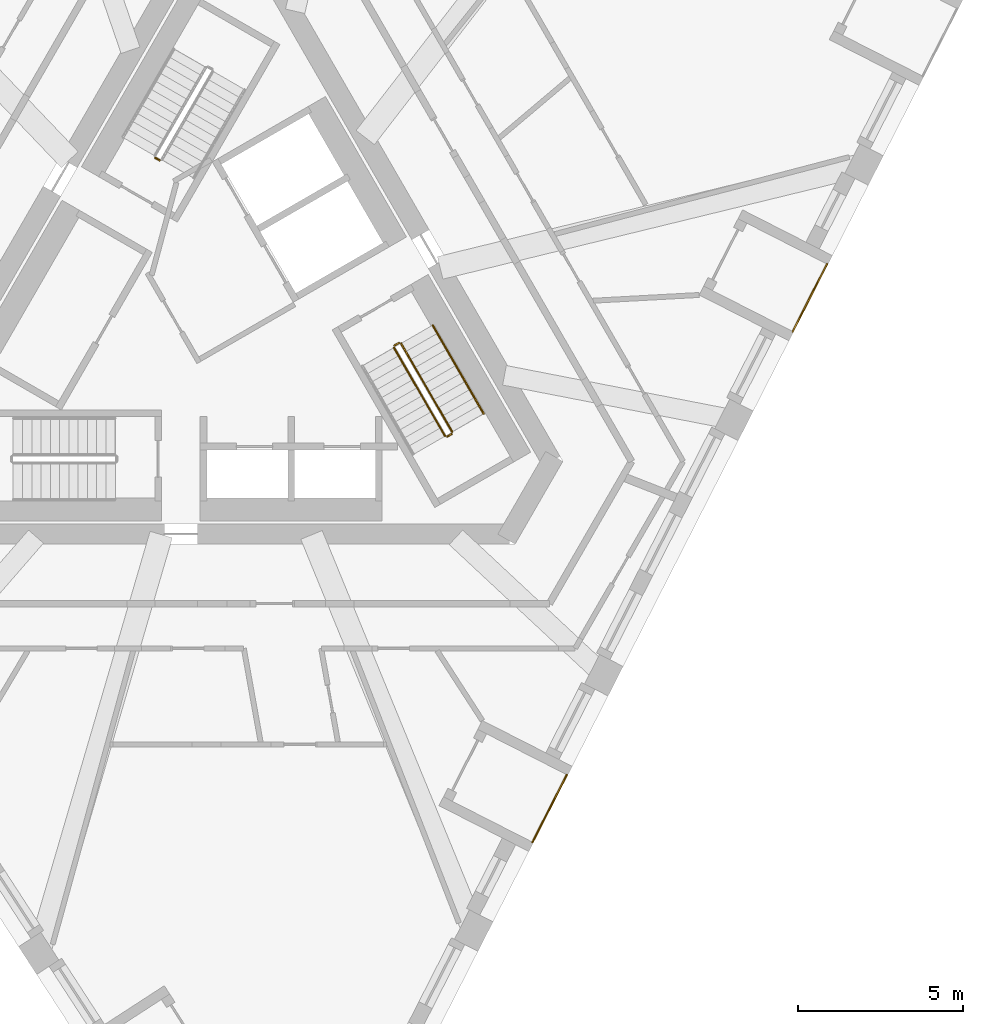
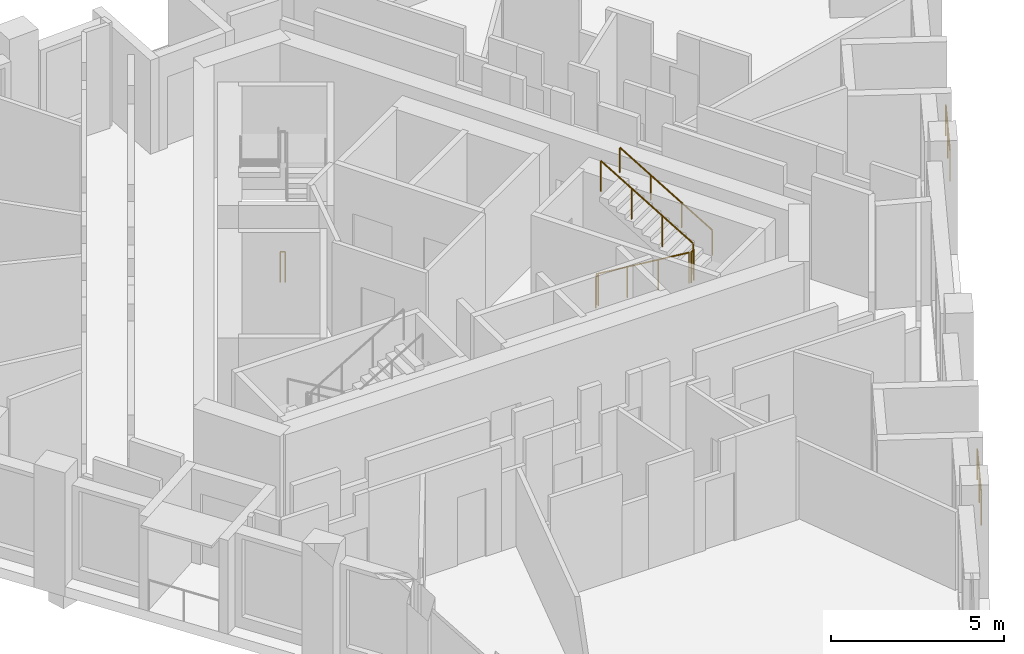
# One storey, part 10 of 12: 8 railings.
"""IFC4 building model written with IfcOpenShell, lengths in metres."""

from ifc_helpers import new_model, si_unit, direction, frame, origin, origin_2d, place, context, subcontext, project, spatial, circle, extrude, material, type_object, element, save


model = new_model("IFC4")

# Units and contexts
model_context = context("Model", 3, precision=1e-05, world=origin(), true_north=direction((0.0, 1.0)))
body_context = subcontext(model_context, "Body", "Model", "MODEL_VIEW")
ifc_project = project(units=[si_unit("LENGTHUNIT", "METRE"), si_unit("AREAUNIT", "SQUARE_METRE"), si_unit("VOLUMEUNIT", "CUBIC_METRE"), si_unit("PLANEANGLEUNIT", "RADIAN"), si_unit("MASSUNIT", "GRAM", prefix="KILO")], contexts=[model_context])

# Site, building, storey
site_placement = place(None, origin())
site = spatial("IfcSite", under=ifc_project, at=site_placement, CompositionType="ELEMENT")
building_placement = place(site_placement, origin())
building = spatial("IfcBuilding", under=site, at=building_placement, Name="Tramontana Tower", CompositionType="ELEMENT")
storey_placement = place(building_placement, frame((0.0, 0.0, 274.39990234375)))
storey = spatial("IfcBuildingStorey", under=building, at=storey_placement, Name="L64", CompositionType="ELEMENT", Elevation=274.39990234375)

# Railings
ifc_material_1 = material(Name="Laminated glass balustrade", Category="glass")
railing_type_1 = type_object("IfcRailingType", Name="GD1 Loggia glass balustrade 1100", PredefinedType="BALUSTRADE", material=ifc_material_1)
railing_1_placement = place(storey_placement, frame((9.3330078125, -15.75830078125, 0.0)))
element("IfcRailing", 1, at=railing_1_placement, inside=storey, type_object=railing_type_1, Name="Loggia balustrade L64 G7S1.4", PredefinedType="BALUSTRADE", context=body_context, shape_type="SweptSolid", body=[
    extrude(circle(Radius=0.02392578125, at=origin_2d()), frame((0.0, 0.0, 1.076171875), z_axis=(0.45403292632, 0.890984905494, 0.0), x_axis=(-0.890984905494, 0.45403292632, 0.0)), (0.0, 0.0, 1.0), 2.286865234375),
    extrude(circle(Radius=0.02099609375, at=origin_2d()), origin(), (0.0, 0.0, 1.0), 1.052001953125),
    extrude(circle(Radius=0.02099609375, at=origin_2d()), frame((0.51904296875, 1.018798828125, 0.0)), (0.0, 0.0, 1.0), 1.052001953125),
    extrude(circle(Radius=0.02099609375, at=origin_2d()), frame((1.038330078125, 2.03759765625, 0.0)), (0.0, 0.0, 1.0), 1.052001953125),
])
railing_2_placement = place(storey_placement, frame((17.196533203125, -0.32568359375, 0.0)))
element("IfcRailing", 2, at=railing_2_placement, inside=storey, type_object=railing_type_1, Name="Loggia balustrade L64 G7S1.10", PredefinedType="BALUSTRADE", context=body_context, shape_type="SweptSolid", body=[
    extrude(circle(Radius=0.02392578125, at=origin_2d()), frame((0.0, 0.0, 1.076171875), z_axis=(0.453948171533, 0.89102809022, 0.0), x_axis=(-0.89102809022, 0.453948171533, 0.0)), (0.0, 0.0, 1.0), 2.286865234375),
    extrude(circle(Radius=0.02099609375, at=origin_2d()), origin(), (0.0, 0.0, 1.0), 1.052001953125),
    extrude(circle(Radius=0.02099609375, at=origin_2d()), frame((0.51904296875, 1.018798828125, 0.0)), (0.0, 0.0, 1.0), 1.052001953125),
    extrude(circle(Radius=0.02099609375, at=origin_2d()), frame((1.0380859375, 2.03759765625, 0.0)), (0.0, 0.0, 1.0), 1.052001953125),
])
ifc_material_2 = material(Name="Painted steel", Category="steel")
railing_type_2 = type_object("IfcRailingType", Name="STAIR GUARD 1100", PredefinedType="GUARDRAIL", material=ifc_material_2)
railing_3_placement = place(storey_placement, frame((-1.935791015625, 4.84716796875, 0.0)))
element("IfcRailing", 3, at=railing_3_placement, inside=storey, type_object=railing_type_2, Name="L64 ST1 stair guard 4", PredefinedType="GUARDRAIL", context=body_context, shape_type="SweptSolid", body=[
    extrude(circle(Radius=0.02392578125, at=origin_2d()), frame((0.0, 0.0, 1.076171875), z_axis=(-0.865426285481, 0.501036270542, 0.0), x_axis=(-0.501036270542, -0.865426285481, 0.0)), (0.0, 0.0, 1.0), 0.150146484375),
    extrude(circle(Radius=0.02099609375, at=origin_2d()), origin(), (0.0, 0.0, 1.0), 1.052001953125),
    extrude(circle(Radius=0.02099609375, at=origin_2d()), frame((-0.1298828125, 0.0751953125, 0.0)), (0.0, 0.0, 1.0), 1.052001953125),
])
railing_4_placement = place(storey_placement, frame((5.1474609375, -0.815673828125, 0.166748046875)))
element("IfcRailing", 4, at=railing_4_placement, inside=storey, type_object=railing_type_2, Name="L64 ST3 stair guard 1", PredefinedType="GUARDRAIL", context=body_context, shape_type="SweptSolid", body=[
    extrude(circle(Radius=0.02392578125, at=origin_2d()), frame((0.0, 0.0, 1.076171875), z_axis=(0.429671193721, -0.744159446956, 0.511477646425), x_axis=(0.866010015463, 0.500026652407, 0.0)), (0.0, 0.0, 1.0), 3.584228515625),
    extrude(circle(Radius=0.02099609375, at=origin_2d()), origin(), (0.0, 0.0, 1.0), 1.052001953125),
    extrude(circle(Radius=0.02099609375, at=origin_2d()), frame((0.513427734375, -0.88916015625, 0.611083984375)), (0.0, 0.0, 1.0), 1.052001953125),
    extrude(circle(Radius=0.02099609375, at=origin_2d()), frame((1.026611328125, -1.778076171875, 1.22216796875)), (0.0, 0.0, 1.0), 1.052001953125),
    extrude(circle(Radius=0.02099609375, at=origin_2d()), frame((1.5400390625, -2.667236328125, 1.833251953125)), (0.0, 0.0, 1.0), 1.052001953125),
])
railing_5_placement = place(storey_placement, frame((6.90380859375, -3.35791015625, 2.166748046875)))
element("IfcRailing", 5, at=railing_5_placement, inside=storey, type_object=railing_type_2, Name="L64 ST3 stair guard 2", PredefinedType="GUARDRAIL", context=body_context, shape_type="SweptSolid", body=[
    extrude(circle(Radius=0.02392578125, at=origin_2d()), frame((0.0, 0.0, 1.076171875), z_axis=(-0.429615651263, 0.74418122563, 0.511492615401), x_axis=(-0.866044340336, -0.499967199496, 0.0)), (0.0, 0.0, 1.0), 3.584228515625),
    extrude(circle(Radius=0.02099609375, at=origin_2d()), origin(), (0.0, 0.0, 1.0), 1.052001953125),
    extrude(circle(Radius=0.02099609375, at=origin_2d()), frame((-0.51318359375, 0.88916015625, 0.611083984375)), (0.0, 0.0, 1.0), 1.052001953125),
    extrude(circle(Radius=0.02099609375, at=origin_2d()), frame((-1.026611328125, 1.778076171875, 1.22216796875)), (0.0, 0.0, 1.0), 1.052001953125),
    extrude(circle(Radius=0.02099609375, at=origin_2d()), frame((-1.539794921875, 2.667236328125, 1.833251953125)), (0.0, 0.0, 1.0), 1.052001953125),
])
for number, where, name in (
    (6, (6.755615234375, -3.501220703125, 2.0), "L64 ST3 stair guard 3"),
    (7, (5.165771484375, -0.747314453125, 0.0), "L64 ST3 stair guard 4"),
):
    element("IfcRailing", number, at=place(storey_placement, frame(where)), inside=storey, type_object=railing_type_2, Name=name, PredefinedType="GUARDRAIL", context=body_context, shape_type="SweptSolid", body=[
        extrude(circle(Radius=0.02392578125, at=origin_2d()), frame((0.0, 0.0, 1.076171875), z_axis=(0.866131372301, 0.499816412211, 0.0), x_axis=(-0.499816412211, 0.866131372301, 0.0)), (0.0, 0.0, 1.0), 0.14990234375),
        extrude(circle(Radius=0.02099609375, at=origin_2d()), origin(), (0.0, 0.0, 1.0), 1.052001953125),
        extrude(circle(Radius=0.02099609375, at=origin_2d()), frame((0.1298828125, 0.074951171875, 0.0)), (0.0, 0.0, 1.0), 1.052001953125),
    ])
ifc_material_3 = material(Name="Painted steel", Category="steel")
railing_type_3 = type_object("IfcRailingType", Name="STAIR HANDRAIL 900", PredefinedType="HANDRAIL", material=ifc_material_3)
railing_6_placement = place(storey_placement, frame((7.8564453125, -2.807861328125, 2.166748046875)))
element("IfcRailing", 8, at=railing_6_placement, inside=storey, type_object=railing_type_3, Name="L64 ST3 stair handrail 2", PredefinedType="HANDRAIL", context=body_context, shape_type="SweptSolid", body=[
    extrude(circle(Radius=0.02392578125, at=origin_2d()), frame((0.0, 0.0, 0.8759765625), z_axis=(-0.429615651263, 0.74418122563, 0.511492615401), x_axis=(-0.866044340336, -0.499967199496, 0.0)), (0.0, 0.0, 1.0), 3.584228515625),
    extrude(circle(Radius=0.02099609375, at=origin_2d()), origin(), (0.0, 0.0, 1.0), 0.851806640625),
    extrude(circle(Radius=0.02099609375, at=origin_2d()), frame((-0.51318359375, 0.88916015625, 0.611083984375)), (0.0, 0.0, 1.0), 0.851806640625),
    extrude(circle(Radius=0.02099609375, at=origin_2d()), frame((-1.026611328125, 1.778076171875, 1.22216796875)), (0.0, 0.0, 1.0), 0.851806640625),
    extrude(circle(Radius=0.02099609375, at=origin_2d()), frame((-1.539794921875, 2.667236328125, 1.833251953125)), (0.0, 0.0, 1.0), 0.851806640625),
])

save(model, "model.ifc")
